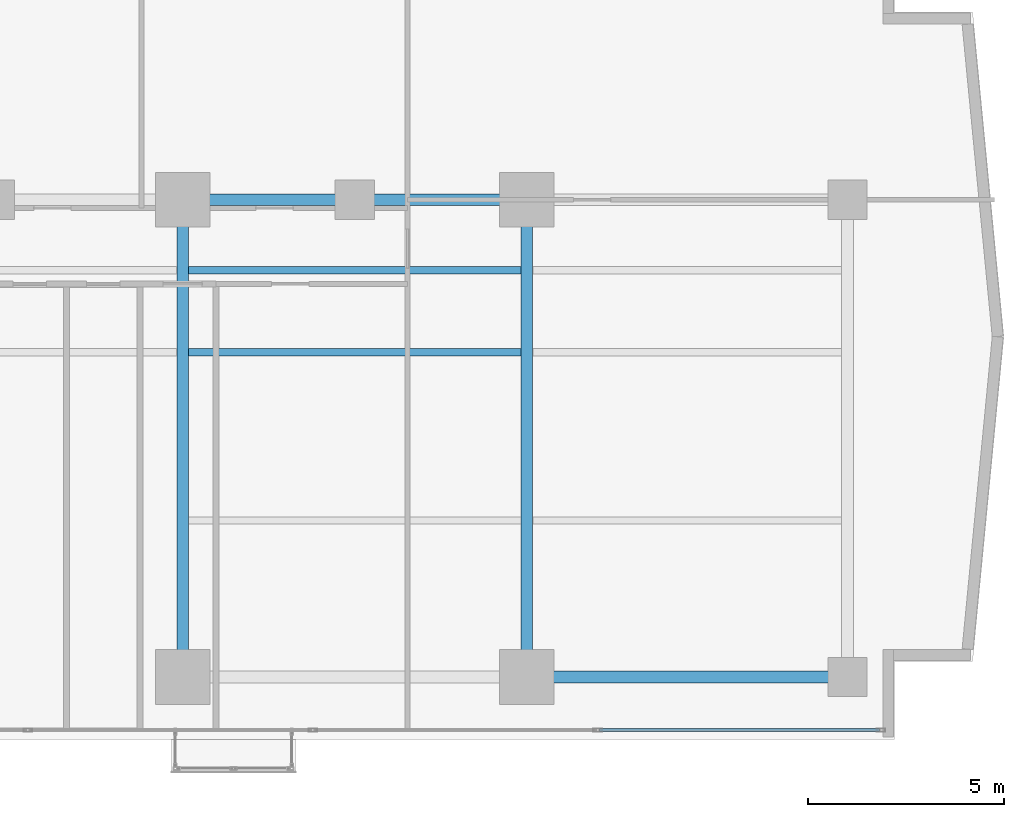
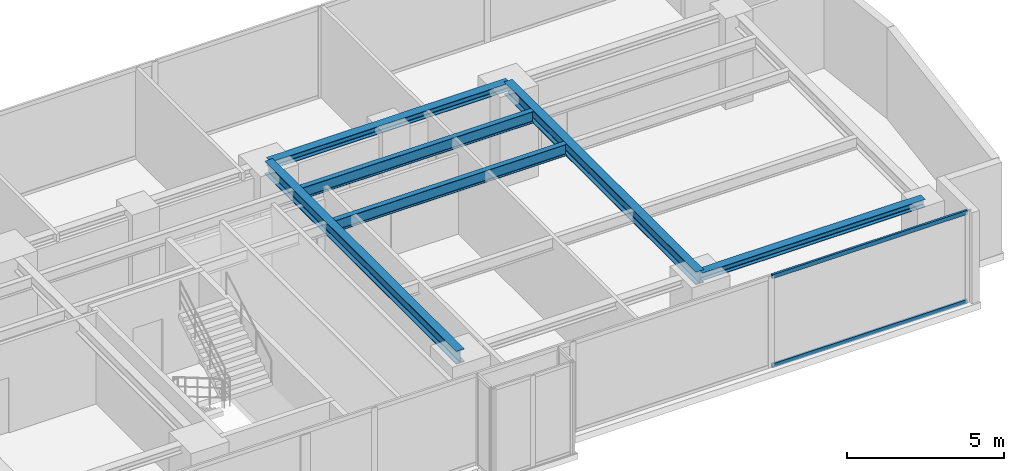
# One storey, part 12 of 27: 6 beams, 2 members, 1 element without a shape of its own.
"""IFC4 building model written with IfcOpenShell, lengths in metres."""

from ifc_helpers import new_model, si_unit, direction, frame, origin, origin_with_axes, origin_2d, place, context, subcontext, project, spatial, hollow_rectangle, i_section, extrude, source, transform, mapped, material, layer, layer_set, material_profile, profile_set, type_object, element, aggregate, save


model = new_model("IFC4")

# Units and contexts
model_context = context("Model", 3, precision=1e-05, world=origin(), true_north=direction((0.0, 1.0)))
body_context = subcontext(model_context, "Body", "Model", "MODEL_VIEW")
ifc_project = project(units=[si_unit("LENGTHUNIT", "METRE"), si_unit("AREAUNIT", "SQUARE_METRE"), si_unit("VOLUMEUNIT", "CUBIC_METRE"), si_unit("PLANEANGLEUNIT", "RADIAN"), si_unit("MASSUNIT", "GRAM", prefix="KILO")], contexts=[model_context])

# Site, building, storey
site_placement = place(None, origin())
site = spatial("IfcSite", under=ifc_project, at=site_placement, CompositionType="ELEMENT")
building_placement = place(site_placement, origin())
building = spatial("IfcBuilding", under=site, at=building_placement, Name="Kolvaren Waterfront Exchange", CompositionType="ELEMENT")
storey_placement = place(building_placement, frame((0.0, 0.0, 118.300048828125)))
storey = spatial("IfcBuildingStorey", under=building, at=storey_placement, Name="L30", CompositionType="ELEMENT", Elevation=118.300048828125)

# Beams
ifc_material_1 = material(Name="Steel S355", Category="steel")
ifc_material_profile_1 = material_profile(ifc_material_1, i_section(OverallWidth=0.300048828125, OverallDepth=0.300048828125, WebThickness=0.010986328125, FlangeThickness=0.01904296875, FilletRadius=0.027099609375, at=origin_2d()), Name="HEB300")
ifc_profile_set_1 = profile_set([ifc_material_profile_1], Name="Steel S355")
beam_type_1 = type_object("IfcBeamType", Name="STR-BM-HEB300", PredefinedType="SPANDREL", material=ifc_profile_set_1)
beam_1_placement = place(storey_placement, frame((45.60009765625, 5.199951171875, 3.389892578125), z_axis=(1.0, 0.0, 0.0), x_axis=(0.0, 1.0, 0.0)))
element("IfcBeam", 1, at=beam_1_placement, inside=storey, type_object=beam_type_1, Name="L30 east-arm spandrel S4", PredefinedType="SPANDREL", context=body_context, shape_type="SweptSolid", body=[
    extrude(i_section(OverallWidth=0.300048828125, OverallDepth=0.300048828125, WebThickness=0.010986328125, FlangeThickness=0.01904296875, FilletRadius=0.027099609375, at=origin_2d()), origin(), (0.0, 0.0, 1.0), 8.199951171875),
])
beam_2_placement = place(storey_placement, frame((36.800048828125, 17.39990234375, 3.389892578125), z_axis=(1.0, 0.0, 0.0), x_axis=(0.0, 1.0, 0.0)))
element("IfcBeam", 2, at=beam_2_placement, inside=storey, type_object=beam_type_1, Name="L30 east-arm spandrel N3", PredefinedType="SPANDREL", context=body_context, shape_type="SweptSolid", body=[
    extrude(i_section(OverallWidth=0.300048828125, OverallDepth=0.300048828125, WebThickness=0.010986328125, FlangeThickness=0.01904296875, FilletRadius=0.027099609375, at=origin_2d()), origin(), (0.0, 0.0, 1.0), 8.800048828125),
])
ifc_material_profile_2 = material_profile(ifc_material_1, i_section(OverallWidth=0.300048828125, OverallDepth=0.5, WebThickness=0.014404296875, FlangeThickness=0.028076171875, FilletRadius=0.027099609375, at=origin_2d()), Name="HEB500")
ifc_profile_set_2 = profile_set([ifc_material_profile_2], Name="Steel S355")
beam_type_2 = type_object("IfcBeamType", Name="STR-BM-HEB500", PredefinedType="BEAM", material=ifc_profile_set_2)
for number, where, z_axis, x_axis, name in (
    (3, (36.800048828125, 5.199951171875, 3.2900390625), (0.0, 1.0, 0.0), (-1.0, 0.0, 0.0), "L30 east-arm transverse girder X36"),
    (4, (45.60009765625, 5.199951171875, 3.2900390625), (0.0, 1.0, 0.0), (-1.0, 0.0, 0.0), "L30 east-arm transverse girder X45"),
):
    element("IfcBeam", number, at=place(storey_placement, frame(where, z_axis=z_axis, x_axis=x_axis)), inside=storey, type_object=beam_type_2, Name=name, PredefinedType="BEAM", context=body_context, shape_type="SweptSolid", body=[
        extrude(i_section(OverallWidth=0.300048828125, OverallDepth=0.5, WebThickness=0.014404296875, FlangeThickness=0.028076171875, FilletRadius=0.027099609375, at=origin_2d()), origin(), (0.0, 0.0, 1.0), 12.199951171875),
    ])
ifc_material_profile_3 = material_profile(ifc_material_1, i_section(OverallWidth=0.18994140625, OverallDepth=0.449951171875, WebThickness=0.009521484375, FlangeThickness=0.0146484375, FilletRadius=0.02099609375, at=origin_2d()), Name="IPE450")
ifc_profile_set_3 = profile_set([ifc_material_profile_3], Name="Steel S355")
beam_type_3 = type_object("IfcBeamType", Name="STR-BM-IPE450", PredefinedType="JOIST", material=ifc_profile_set_3)
for number, where, z_axis, x_axis, name in (
    (5, (36.951904296875, 13.5, 3.31494140625), (1.0, 0.0, 0.0), (0.0, 1.0, 0.0), "L30 east-arm composite joist 3A"),
    (6, (36.951904296875, 15.60009765625, 3.31494140625), (1.0, 0.0, 0.0), (0.0, 1.0, 0.0), "L30 east-arm composite joist 3C"),
):
    element("IfcBeam", number, at=place(storey_placement, frame(where, z_axis=z_axis, x_axis=x_axis)), inside=storey, type_object=beam_type_3, Name=name, PredefinedType="JOIST", context=body_context, shape_type="SweptSolid", body=[
        extrude(i_section(OverallWidth=0.18994140625, OverallDepth=0.449951171875, WebThickness=0.009521484375, FlangeThickness=0.0146484375, FilletRadius=0.02099609375, at=origin_2d()), origin(), (0.0, 0.0, 1.0), 8.49609375),
    ])

# Curtain wall, members
ifc_material_2 = material(Name="Anodised bronze aluminium 6063-T6", Category="aluminium")
ifc_layer = layer(ifc_material_2, 0.219970703125, Name="Anodised bronze aluminium 6063-T6")
ifc_layer_set = layer_set([ifc_layer], Name="Anodised bronze aluminium 6063-T6")
curtain_wall_type = type_object("IfcCurtainWallType", Name="ARC-CW-SYS1", PredefinedType="USERDEFINED", material=ifc_layer_set)
curtain_wall_placement = place(storey_placement, origin())
curtain_wall = element("IfcCurtainWall", 7, at=curtain_wall_placement, inside=storey, type_object=curtain_wall_type, Name="L30 stick curtain wall CW1 (CW-L30-S)", ObjectType="STICK CURTAIN WALL", PredefinedType="USERDEFINED")
ifc_material_3 = material(Name="Anodised aluminium 6063-T6", Category="aluminium")
ifc_material_profile_4 = material_profile(ifc_material_3, hollow_rectangle(XDim=0.074951171875, YDim=0.159912109375, WallThickness=0.00439453125, at=origin_2d()), Name="ALU-TRN-160x75x4.5")
ifc_profile_set_4 = profile_set([ifc_material_profile_4], Name="Anodised aluminium 6063-T6")
member_type = type_object("IfcMemberType", Name="ARC-CWT-160", PredefinedType="USERDEFINED", material=ifc_profile_set_4)
shared_shape = source(origin_with_axes(), body_context, "Body", "SweptSolid", [
    extrude(hollow_rectangle(XDim=0.074951171875, YDim=0.159912109375, WallThickness=0.00439453125, at=origin_2d()), origin(), (0.0, 0.0, 1.0), 7.165771484375),
])
member_1_placement = place(storey_placement, frame((47.454345703125, 3.840087890625, 0.037353515625), z_axis=(1.0, 0.0, 0.0), x_axis=(0.0, 1.0, 0.0)))
member_1 = element("IfcMember", 8, at=member_1_placement, type_object=member_type, Name="CW1 transom 7.1", ObjectType="TRANSOM", PredefinedType="USERDEFINED", context=body_context, shape_type="MappedRepresentation", body=[
    mapped(shared_shape, transform((0.0, 0.0, 0.0), x_axis=(1.0, 0.0, 0.0), y_axis=(0.0, 1.0, 0.0), z_axis=(0.0, 0.0, 1.0), scale=1.0)),
])
member_2_placement = place(storey_placement, frame((47.454345703125, 3.840087890625, 3.50244140625), z_axis=(1.0, 0.0, 0.0), x_axis=(0.0, 1.0, 0.0)))
member_2 = element("IfcMember", 9, at=member_2_placement, type_object=member_type, Name="CW1 transom 7.2", ObjectType="TRANSOM", PredefinedType="USERDEFINED", context=body_context, shape_type="MappedRepresentation", body=[
    mapped(shared_shape, transform((0.0, 0.0, 0.0), x_axis=(1.0, 0.0, 0.0), y_axis=(0.0, 1.0, 0.0), z_axis=(0.0, 0.0, 1.0), scale=1.0)),
])
aggregate(curtain_wall, [member_1, member_2])

save(model, "model.ifc")
